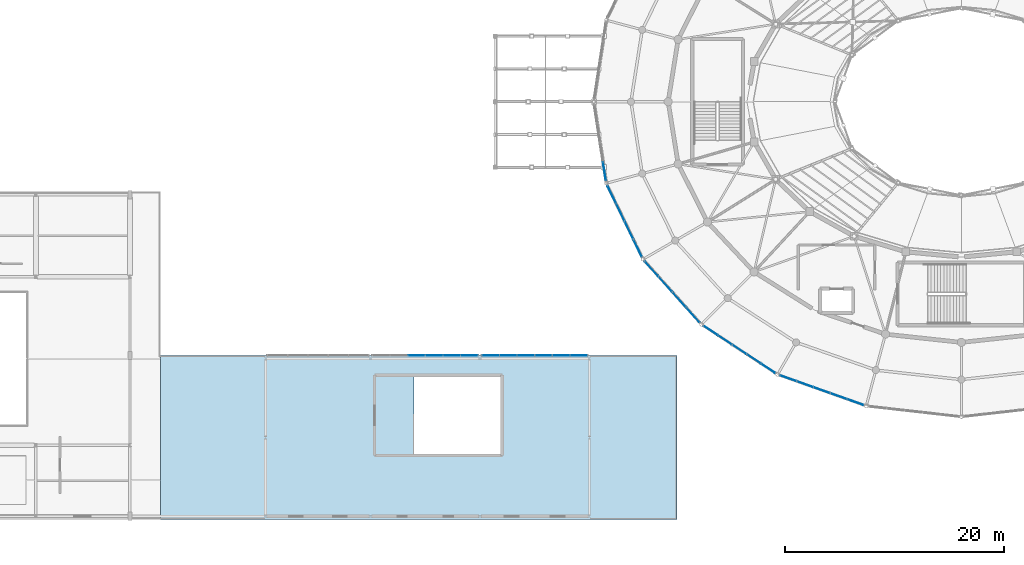
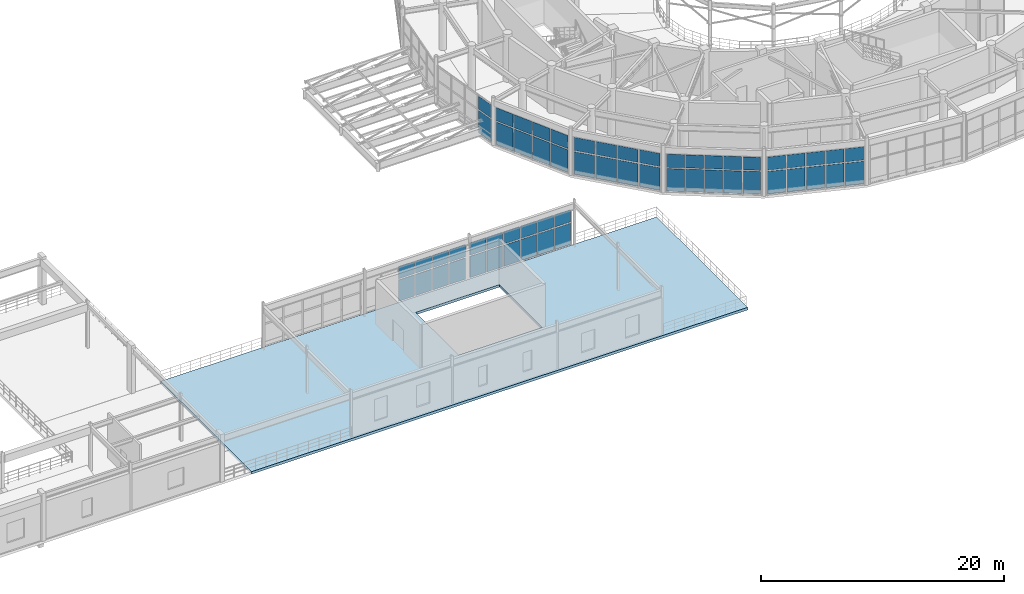
# One storey, part 82 of 144: 58 plates, 1 slab, 7 elements without a shape of their own.
"""IFC4 building model written with IfcOpenShell, lengths in metres."""

import ifcopenshell
import ifcopenshell.guid

model = None  # the IFC model being written
_history = None  # IfcOwnerHistory: only IFC2X3 demands one
_inside = {}  # id of a spatial element -> (the spatial element, [elements in it])
_under = {}  # id of a project, library or spatial element -> (it, [spatial elements below it])
_declared = {}  # id of a project -> (the project, [libraries it declares])
_typed = {}  # id of a type object -> (the type object, [elements of that type])
_made_of = {}  # id of a material, layer set ... -> (it, [elements and type objects made of it])


def new_model(schema):
    """Start an empty IFC model of exactly this schema.

    Asked for "IFC4X3", IfcOpenShell would pick the latest addendum, in which some entities
    have other attributes; the version numbers below select the first issue.
    IFC2X3 requires an IfcOwnerHistory on every rooted entity: one is made here for all.
    """
    global model, _history
    if schema == "IFC4X3":
        model = ifcopenshell.file(schema_version=(4, 3, 0, 0))
    else:
        model = ifcopenshell.file(schema=schema)
    _inside.clear()
    _under.clear()
    _declared.clear()
    _typed.clear()
    _made_of.clear()
    _history = None
    if model.schema == "IFC2X3":
        org = make("IfcOrganization", Name="unknown")
        user = make(
            "IfcPersonAndOrganization",
            ThePerson=make("IfcPerson", FamilyName="unknown"),
            TheOrganization=org,
        )
        app = make(
            "IfcApplication",
            ApplicationDeveloper=org,
            Version="unknown",
            ApplicationFullName="unknown",
            ApplicationIdentifier="unknown",
        )
        _history = make(
            "IfcOwnerHistory",
            OwningUser=user,
            OwningApplication=app,
            ChangeAction="ADDED",
            CreationDate=0,
        )
    return model


def make(cls, **values):
    """One entity of the class cls with the attributes given. An attribute that is None is left unset."""
    return model.create_entity(
        cls, **{name: value for name, value in values.items() if value is not None}
    )


def rooted(cls, **values):
    """An entity with a GlobalId (a new one), such as an element, a storey or a relation."""
    return make(cls, GlobalId=ifcopenshell.guid.new(), OwnerHistory=_history, **values)


def si_unit(unit_type, name, prefix=None):
    """IfcSIUnit, for example si_unit("LENGTHUNIT", "METRE", prefix="MILLI")."""
    return make("IfcSIUnit", UnitType=unit_type, Prefix=prefix, Name=name)


def assignment(units):
    """IfcUnitAssignment: the units of a project."""
    return None if units is None else make("IfcUnitAssignment", Units=units)


def point(xyz):
    """IfcCartesianPoint."""
    return None if xyz is None else make("IfcCartesianPoint", Coordinates=xyz)


def direction(xyz):
    """IfcDirection."""
    return None if xyz is None else make("IfcDirection", DirectionRatios=xyz)


def frame(location, z_axis=None, x_axis=None):
    """IfcAxis2Placement3D, a coordinate frame: its origin and axes. An axis left out is left unset."""
    return make(
        "IfcAxis2Placement3D",
        Location=point(location),
        Axis=direction(z_axis),
        RefDirection=direction(x_axis),
    )


def frame_2d(location, x_axis=None):
    """IfcAxis2Placement2D, a coordinate frame in the plane: its origin and x axis."""
    return make(
        "IfcAxis2Placement2D", Location=point(location), RefDirection=direction(x_axis)
    )


def origin():
    """The frame at (0, 0, 0) with its axes left unset."""
    return frame((0.0, 0.0, 0.0))


def origin_2d():
    """The frame at (0, 0) in the plane with its x axis left unset."""
    return frame_2d((0.0, 0.0))


def place(relative_to, where):
    """IfcLocalPlacement: puts the frame where relative to a parent placement (None: the world)."""
    return make(
        "IfcLocalPlacement", PlacementRelTo=relative_to, RelativePlacement=where
    )


def context(
    kind, dimensions, precision=None, world=None, true_north=None, identifier=None
):
    """IfcGeometricRepresentationContext, for example the 3D "Model" context."""
    return make(
        "IfcGeometricRepresentationContext",
        ContextIdentifier=identifier,
        ContextType=kind,
        CoordinateSpaceDimension=dimensions,
        Precision=precision,
        WorldCoordinateSystem=world,
        TrueNorth=true_north,
    )


def subcontext(parent, identifier, kind, view, scale=None):
    """IfcGeometricRepresentationSubContext, for example "Body" below "Model"."""
    return make(
        "IfcGeometricRepresentationSubContext",
        ContextIdentifier=identifier,
        ContextType=kind,
        ParentContext=parent,
        TargetScale=scale,
        TargetView=view,
    )


def project(units=None, contexts=None):
    """IfcProject with its units and contexts."""
    return rooted(
        "IfcProject",
        Name="project",
        RepresentationContexts=contexts,
        UnitsInContext=assignment(units),
    )


def spatial(cls, under=None, at=None, **own):
    """A site, building, storey or space (cls), placed at a placement, below another one or the project."""
    s = rooted(cls, ObjectPlacement=at, **own)
    if under is not None:
        _under.setdefault(under.id(), (under, []))[1].append(s)
    return s


def polyline(points):
    """IfcPolyline through the points."""
    return make("IfcPolyline", Points=[point(p) for p in points])


def profile(cls, at=None, kind="AREA", **sizes):
    """A parametric profile (cls). Its sizes go by their IFC names, for example OverallWidth=200.0."""
    return make(cls, ProfileType=kind, Position=at, **sizes)


def rectangle(**sizes):
    """IfcRectangleProfileDef."""
    return profile("IfcRectangleProfileDef", **sizes)


def outline(outer, holes=None, kind="AREA"):
    """IfcArbitraryClosedProfileDef: a profile drawn as a closed curve; with holes, ...WithVoids."""
    if holes is None:
        return make("IfcArbitraryClosedProfileDef", ProfileType=kind, OuterCurve=outer)
    return make(
        "IfcArbitraryProfileDefWithVoids",
        ProfileType=kind,
        OuterCurve=outer,
        InnerCurves=holes,
    )


def extrude(swept, where, along, depth):
    """IfcExtrudedAreaSolid: the profile swept, set in the frame where, extruded along a direction by depth."""
    return make(
        "IfcExtrudedAreaSolid",
        SweptArea=swept,
        Position=where,
        ExtrudedDirection=direction(along),
        Depth=depth,
    )


def shape(context_of_items, identifier, shape_type, items):
    """IfcShapeRepresentation: the items that make up one representation, for example the "Body"."""
    return make(
        "IfcShapeRepresentation",
        ContextOfItems=context_of_items,
        RepresentationIdentifier=identifier,
        RepresentationType=shape_type,
        Items=items,
    )


def material(Name=None, Category=None):
    """IfcMaterial."""
    return make("IfcMaterial", Name=Name, Category=Category)


def layer(
    of_material, thickness, ventilated=None, Name=None, Category=None, Priority=None
):
    """IfcMaterialLayer: one layer of a wall or slab, of a material (None: an air gap)."""
    return make(
        "IfcMaterialLayer",
        Material=of_material,
        LayerThickness=thickness,
        IsVentilated=ventilated,
        Name=Name,
        Category=Category,
        Priority=Priority,
    )


def layer_set(layers, Name=None):
    """IfcMaterialLayerSet."""
    return make("IfcMaterialLayerSet", MaterialLayers=layers, LayerSetName=Name)


def made_of(thing, what):
    """Note that an element or type object is made of a material, layer set ...; save() writes the relation."""
    if what is not None:
        _made_of.setdefault(what.id(), (what, []))[1].append(thing)
    return thing


def type_object(cls, material=None, **own):
    """A type object (cls), such as IfcWallType, which elements share."""
    return made_of(rooted(cls, **own), material)


def element(
    cls,
    number,
    at=None,
    inside=None,
    cuts=None,
    type_object=None,
    material=None,
    context=None,
    identifier="Body",
    shape_type=None,
    held_by="IfcProductDefinitionShape",
    body=None,
    shapes=None,
    **own,
):
    """One element of the class cls, such as IfcWall. Its Tag is "e" and its number.

    at: its placement. inside: the storey or other place that contains it. cuts: it is an
    opening in that element (IfcRelVoidsElement). A single representation is given by context,
    identifier, shape_type and body (its items); several are given by shapes. held_by: the class
    of the entity that holds the representations. save() writes the other relations.
    """
    e = rooted(cls, Tag="e%d" % number, ObjectPlacement=at, **own)
    if body is not None:
        shapes = [shape(context, identifier, shape_type, body)]
    if shapes is not None:
        e.Representation = make(held_by, Representations=shapes)
    if inside is not None:
        _inside.setdefault(inside.id(), (inside, []))[1].append(e)
    if cuts is not None:
        rooted(
            "IfcRelVoidsElement", RelatingBuildingElement=cuts, RelatedOpeningElement=e
        )
    if type_object is not None:
        _typed.setdefault(type_object.id(), (type_object, []))[1].append(e)
    return made_of(e, material)


def aggregate(whole, parts):
    """IfcRelAggregates: a whole, such as a stair, and the parts it consists of."""
    return rooted("IfcRelAggregates", RelatingObject=whole, RelatedObjects=parts)


def save(model, path):
    """Write the relations noted so far, then the file.

    IfcRelAggregates (storeys below a building ...), IfcRelContainedInSpatialStructure (elements
    in a storey), IfcRelDefinesByType, IfcRelAssociatesMaterial and IfcRelDeclares: one each for
    every whole, place, type object, material and project.
    """
    for whole, parts in _under.values():
        aggregate(whole, parts)
    for where, things in _inside.values():
        rooted(
            "IfcRelContainedInSpatialStructure",
            RelatedElements=things,
            RelatingStructure=where,
        )
    for kind, things in _typed.values():
        rooted("IfcRelDefinesByType", RelatedObjects=things, RelatingType=kind)
    for what, things in _made_of.values():
        rooted("IfcRelAssociatesMaterial", RelatedObjects=things, RelatingMaterial=what)
    for by, libraries in _declared.values():
        rooted("IfcRelDeclares", RelatingContext=by, RelatedDefinitions=libraries)
    model.write(path)


model = new_model("IFC4")

# Units and contexts
model_context = context("Model", 3, precision=1e-05, world=origin(), true_north=direction((0.0, 1.0)))
body_context = subcontext(model_context, "Body", "Model", "MODEL_VIEW")
ifc_project = project(units=[si_unit("LENGTHUNIT", "METRE"), si_unit("AREAUNIT", "SQUARE_METRE"), si_unit("VOLUMEUNIT", "CUBIC_METRE"), si_unit("PLANEANGLEUNIT", "RADIAN"), si_unit("MASSUNIT", "GRAM", prefix="KILO")], contexts=[model_context])

# Site, building, storey
site_placement = place(None, origin())
site = spatial("IfcSite", under=ifc_project, at=site_placement, CompositionType="ELEMENT")
building_placement = place(site_placement, origin())
building = spatial("IfcBuilding", under=site, at=building_placement, Name="Cinderbank Siding Concert Hall", CompositionType="ELEMENT")
storey_placement = place(building_placement, frame((0.0, 0.0, 5.39990234375)))
storey = spatial("IfcBuildingStorey", under=building, at=storey_placement, Name="L02", CompositionType="ELEMENT", Elevation=5.39990234375)

# Curtain wall, plates
ifc_material_1 = material(Name="Anodised aluminium alloy 6063-T6", Category="aluminium")
curtain_wall_type_1 = type_object("IfcCurtainWallType", Name="CW-04 Unitised Acoustic Curtain Wall 7000x4400", PredefinedType="NOTDEFINED", material=ifc_material_1)
curtain_wall_1_placement = place(storey_placement, origin())
curtain_wall_1 = element("IfcCurtainWall", 1, at=curtain_wall_1_placement, inside=storey, type_object=curtain_wall_type_1, Name="L02 Curtain Wall CW-04 #16", PredefinedType="NOTDEFINED")
ifc_material_2 = material(Name="Double-glazed laminated acoustic glass", Category="glass")
ifc_layer_1 = layer(ifc_material_2, 0.035888671875)
ifc_layer_set_1 = layer_set([ifc_layer_1], Name="Double-glazed laminated acoustic glass")
plate_type_1 = type_object("IfcPlateType", Name="CP-01 Glazed Curtain Panel 1800x2200", PredefinedType="CURTAIN_PANEL", material=ifc_layer_set_1)
plate_1_placement = place(storey_placement, frame((99.0888671875, 23.077880859375, 0.1201171875), z_axis=(0.0, 0.0, 1.0), x_axis=(0.835491932304, -0.549502712509, 0.0)))
plate_1 = element("IfcPlate", 2, at=plate_1_placement, type_object=plate_type_1, Name="CW-L02-016 Glazed Panel 0-0", PredefinedType="CURTAIN_PANEL", context=body_context, shape_type="SweptSolid", body=[
    extrude(rectangle(XDim=1.47509765625, YDim=0.035888671875, at=origin_2d()), origin(), (0.0, 0.0, 1.0), 2.26708984375),
])
plate_2_placement = place(storey_placement, frame((99.0888671875, 23.077880859375, 2.50732421875), z_axis=(0.0, 0.0, 1.0), x_axis=(0.835491932304, -0.549502712509, 0.0)))
plate_2 = element("IfcPlate", 3, at=plate_2_placement, type_object=plate_type_1, Name="CW-L02-016 Glazed Panel 0-1", PredefinedType="CURTAIN_PANEL", context=body_context, shape_type="SweptSolid", body=[
    extrude(rectangle(XDim=1.47509765625, YDim=0.035888671875, at=origin_2d()), origin(), (0.0, 0.0, 1.0), 1.31982421875),
])
plate_3_placement = place(storey_placement, frame((100.40478515625, 22.21240234375, 0.1201171875), z_axis=(0.0, 0.0, 1.0), x_axis=(0.835491932304, -0.549502712509, 0.0)))
plate_3 = element("IfcPlate", 4, at=plate_3_placement, type_object=plate_type_1, Name="CW-L02-016 Glazed Panel 1-0", PredefinedType="CURTAIN_PANEL", context=body_context, shape_type="SweptSolid", body=[
    extrude(rectangle(XDim=1.47509765625, YDim=0.035888671875, at=origin_2d()), origin(), (0.0, 0.0, 1.0), 2.26708984375),
])
plate_4_placement = place(storey_placement, frame((100.40478515625, 22.21240234375, 2.50732421875), z_axis=(0.0, 0.0, 1.0), x_axis=(0.835491932304, -0.549502712509, 0.0)))
plate_4 = element("IfcPlate", 5, at=plate_4_placement, type_object=plate_type_1, Name="CW-L02-016 Glazed Panel 1-1", PredefinedType="CURTAIN_PANEL", context=body_context, shape_type="SweptSolid", body=[
    extrude(rectangle(XDim=1.47509765625, YDim=0.035888671875, at=origin_2d()), origin(), (0.0, 0.0, 1.0), 1.31982421875),
])
plate_5_placement = place(storey_placement, frame((101.720703125, 21.346923828125, 0.1201171875), z_axis=(0.0, 0.0, 1.0), x_axis=(0.835491932304, -0.549502712509, 0.0)))
plate_5 = element("IfcPlate", 6, at=plate_5_placement, type_object=plate_type_1, Name="CW-L02-016 Glazed Panel 2-0", PredefinedType="CURTAIN_PANEL", context=body_context, shape_type="SweptSolid", body=[
    extrude(rectangle(XDim=1.47509765625, YDim=0.035888671875, at=origin_2d()), origin(), (0.0, 0.0, 1.0), 2.26708984375),
])
plate_6_placement = place(storey_placement, frame((101.720703125, 21.346923828125, 2.50732421875), z_axis=(0.0, 0.0, 1.0), x_axis=(0.835491932304, -0.549502712509, 0.0)))
plate_6 = element("IfcPlate", 7, at=plate_6_placement, type_object=plate_type_1, Name="CW-L02-016 Glazed Panel 2-1", PredefinedType="CURTAIN_PANEL", context=body_context, shape_type="SweptSolid", body=[
    extrude(rectangle(XDim=1.47509765625, YDim=0.035888671875, at=origin_2d()), origin(), (0.0, 0.0, 1.0), 1.31982421875),
])
plate_7_placement = place(storey_placement, frame((103.03662109375, 20.4814453125, 0.1201171875), z_axis=(0.0, 0.0, 1.0), x_axis=(0.835491932304, -0.549502712509, 0.0)))
plate_7 = element("IfcPlate", 8, at=plate_7_placement, type_object=plate_type_1, Name="CW-L02-016 Glazed Panel 3-0", PredefinedType="CURTAIN_PANEL", context=body_context, shape_type="SweptSolid", body=[
    extrude(rectangle(XDim=1.47509765625, YDim=0.035888671875, at=origin_2d()), origin(), (0.0, 0.0, 1.0), 2.26708984375),
])
plate_8_placement = place(storey_placement, frame((103.03662109375, 20.4814453125, 2.50732421875), z_axis=(0.0, 0.0, 1.0), x_axis=(0.835491932304, -0.549502712509, 0.0)))
plate_8 = element("IfcPlate", 9, at=plate_8_placement, type_object=plate_type_1, Name="CW-L02-016 Glazed Panel 3-1", PredefinedType="CURTAIN_PANEL", context=body_context, shape_type="SweptSolid", body=[
    extrude(rectangle(XDim=1.47509765625, YDim=0.035888671875, at=origin_2d()), origin(), (0.0, 0.0, 1.0), 1.31982421875),
])
plate_9_placement = place(storey_placement, frame((104.352294921875, 19.615966796875, 0.1201171875), z_axis=(0.0, 0.0, 1.0), x_axis=(0.835491932304, -0.549502712509, 0.0)))
plate_9 = element("IfcPlate", 10, at=plate_9_placement, type_object=plate_type_1, Name="CW-L02-016 Glazed Panel 4-0", PredefinedType="CURTAIN_PANEL", context=body_context, shape_type="SweptSolid", body=[
    extrude(rectangle(XDim=1.47509765625, YDim=0.035888671875, at=origin_2d()), origin(), (0.0, 0.0, 1.0), 2.26708984375),
])
plate_10_placement = place(storey_placement, frame((104.352294921875, 19.615966796875, 2.50732421875), z_axis=(0.0, 0.0, 1.0), x_axis=(0.835491932304, -0.549502712509, 0.0)))
plate_10 = element("IfcPlate", 11, at=plate_10_placement, type_object=plate_type_1, Name="CW-L02-016 Glazed Panel 4-1", PredefinedType="CURTAIN_PANEL", context=body_context, shape_type="SweptSolid", body=[
    extrude(rectangle(XDim=1.47509765625, YDim=0.035888671875, at=origin_2d()), origin(), (0.0, 0.0, 1.0), 1.31982421875),
])
aggregate(curtain_wall_1, [plate_1, plate_2, plate_3, plate_4, plate_5, plate_6, plate_7, plate_8, plate_9, plate_10])

curtain_wall_type_2 = type_object("IfcCurtainWallType", Name="CW-05 Unitised Acoustic Curtain Wall 8200x3800", PredefinedType="NOTDEFINED", material=ifc_material_1)
curtain_wall_2_placement = place(storey_placement, origin())
curtain_wall_2 = element("IfcCurtainWall", 12, at=curtain_wall_2_placement, inside=storey, type_object=curtain_wall_type_2, Name="L02 Curtain Wall CW-05 #17", PredefinedType="NOTDEFINED")
ifc_layer_2 = layer(ifc_material_2, 0.035888671875)
ifc_layer_set_2 = layer_set([ifc_layer_2], Name="Double-glazed laminated acoustic glass")
plate_type_2 = type_object("IfcPlateType", Name="CP-02 Glazed Curtain Panel 1800x1900", PredefinedType="CURTAIN_PANEL", material=ifc_layer_set_2)
plate_11_placement = place(storey_placement, frame((106.181396484375, 18.7099609375, 0.1201171875), z_axis=(0.0, 0.0, 1.0), x_axis=(0.942365662238, -0.334584755532, 0.0)))
plate_11 = element("IfcPlate", 13, at=plate_11_placement, type_object=plate_type_2, Name="CW-L02-017 Glazed Panel 0-0", PredefinedType="CURTAIN_PANEL", context=body_context, shape_type="SweptSolid", body=[
    extrude(rectangle(XDim=1.529052734375, YDim=0.035888671875, at=origin_2d()), origin(), (0.0, 0.0, 1.0), 2.26708984375),
])
plate_12_placement = place(storey_placement, frame((106.181396484375, 18.7099609375, 2.50732421875), z_axis=(0.0, 0.0, 1.0), x_axis=(0.942365662238, -0.334584755532, 0.0)))
plate_12 = element("IfcPlate", 14, at=plate_12_placement, type_object=plate_type_2, Name="CW-L02-017 Glazed Panel 0-1", PredefinedType="CURTAIN_PANEL", context=body_context, shape_type="SweptSolid", body=[
    extrude(rectangle(XDim=1.529052734375, YDim=0.035888671875, at=origin_2d()), origin(), (0.0, 0.0, 1.0), 1.31982421875),
])
plate_13_placement = place(storey_placement, frame((107.716796875, 18.1650390625, 0.1201171875), z_axis=(0.0, 0.0, 1.0), x_axis=(0.942365662238, -0.334584755532, 0.0)))
plate_13 = element("IfcPlate", 15, at=plate_13_placement, type_object=plate_type_2, Name="CW-L02-017 Glazed Panel 1-0", PredefinedType="CURTAIN_PANEL", context=body_context, shape_type="SweptSolid", body=[
    extrude(rectangle(XDim=1.529052734375, YDim=0.035888671875, at=origin_2d()), origin(), (0.0, 0.0, 1.0), 2.26708984375),
])
plate_14_placement = place(storey_placement, frame((107.716796875, 18.1650390625, 2.50732421875), z_axis=(0.0, 0.0, 1.0), x_axis=(0.942365662238, -0.334584755532, 0.0)))
plate_14 = element("IfcPlate", 16, at=plate_14_placement, type_object=plate_type_2, Name="CW-L02-017 Glazed Panel 1-1", PredefinedType="CURTAIN_PANEL", context=body_context, shape_type="SweptSolid", body=[
    extrude(rectangle(XDim=1.529052734375, YDim=0.035888671875, at=origin_2d()), origin(), (0.0, 0.0, 1.0), 1.31982421875),
])
plate_15_placement = place(storey_placement, frame((109.251953125, 17.619873046875, 0.1201171875), z_axis=(0.0, 0.0, 1.0), x_axis=(0.942365662238, -0.334584755532, 0.0)))
plate_15 = element("IfcPlate", 17, at=plate_15_placement, type_object=plate_type_2, Name="CW-L02-017 Glazed Panel 2-0", PredefinedType="CURTAIN_PANEL", context=body_context, shape_type="SweptSolid", body=[
    extrude(rectangle(XDim=1.529052734375, YDim=0.035888671875, at=origin_2d()), origin(), (0.0, 0.0, 1.0), 2.26708984375),
])
plate_16_placement = place(storey_placement, frame((109.251953125, 17.619873046875, 2.50732421875), z_axis=(0.0, 0.0, 1.0), x_axis=(0.942365662238, -0.334584755532, 0.0)))
plate_16 = element("IfcPlate", 18, at=plate_16_placement, type_object=plate_type_2, Name="CW-L02-017 Glazed Panel 2-1", PredefinedType="CURTAIN_PANEL", context=body_context, shape_type="SweptSolid", body=[
    extrude(rectangle(XDim=1.529052734375, YDim=0.035888671875, at=origin_2d()), origin(), (0.0, 0.0, 1.0), 1.31982421875),
])
plate_17_placement = place(storey_placement, frame((110.787109375, 17.07470703125, 0.1201171875), z_axis=(0.0, 0.0, 1.0), x_axis=(0.942365662238, -0.334584755532, 0.0)))
plate_17 = element("IfcPlate", 19, at=plate_17_placement, type_object=plate_type_2, Name="CW-L02-017 Glazed Panel 3-0", PredefinedType="CURTAIN_PANEL", context=body_context, shape_type="SweptSolid", body=[
    extrude(rectangle(XDim=1.529052734375, YDim=0.035888671875, at=origin_2d()), origin(), (0.0, 0.0, 1.0), 2.26708984375),
])
plate_18_placement = place(storey_placement, frame((110.787109375, 17.07470703125, 2.50732421875), z_axis=(0.0, 0.0, 1.0), x_axis=(0.942365662238, -0.334584755532, 0.0)))
plate_18 = element("IfcPlate", 20, at=plate_18_placement, type_object=plate_type_2, Name="CW-L02-017 Glazed Panel 3-1", PredefinedType="CURTAIN_PANEL", context=body_context, shape_type="SweptSolid", body=[
    extrude(rectangle(XDim=1.529052734375, YDim=0.035888671875, at=origin_2d()), origin(), (0.0, 0.0, 1.0), 1.31982421875),
])
plate_19_placement = place(storey_placement, frame((112.322265625, 16.52978515625, 0.1201171875), z_axis=(0.0, 0.0, 1.0), x_axis=(0.942365662238, -0.334584755532, 0.0)))
plate_19 = element("IfcPlate", 21, at=plate_19_placement, type_object=plate_type_2, Name="CW-L02-017 Glazed Panel 4-0", PredefinedType="CURTAIN_PANEL", context=body_context, shape_type="SweptSolid", body=[
    extrude(rectangle(XDim=1.529052734375, YDim=0.035888671875, at=origin_2d()), origin(), (0.0, 0.0, 1.0), 2.26708984375),
])
plate_20_placement = place(storey_placement, frame((112.322265625, 16.52978515625, 2.50732421875), z_axis=(0.0, 0.0, 1.0), x_axis=(0.942365662238, -0.334584755532, 0.0)))
plate_20 = element("IfcPlate", 22, at=plate_20_placement, type_object=plate_type_2, Name="CW-L02-017 Glazed Panel 4-1", PredefinedType="CURTAIN_PANEL", context=body_context, shape_type="SweptSolid", body=[
    extrude(rectangle(XDim=1.529052734375, YDim=0.035888671875, at=origin_2d()), origin(), (0.0, 0.0, 1.0), 1.31982421875),
])
aggregate(curtain_wall_2, [plate_11, plate_12, plate_13, plate_14, plate_15, plate_16, plate_17, plate_18, plate_19, plate_20])

curtain_wall_type_3 = type_object("IfcCurtainWallType", Name="CW-01 Unitised Acoustic Curtain Wall 8200x4400", PredefinedType="NOTDEFINED", material=ifc_material_1)
curtain_wall_3_placement = place(storey_placement, origin())
curtain_wall_3 = element("IfcCurtainWall", 23, at=curtain_wall_3_placement, inside=storey, type_object=curtain_wall_type_3, Name="L02 Curtain Wall CW-01 #13", PredefinedType="NOTDEFINED")
ifc_layer_3 = layer(ifc_material_2, 0.0380859375)
ifc_layer_set_3 = layer_set([ifc_layer_3], Name="Double-glazed laminated acoustic glass")
plate_type_3 = type_object("IfcPlateType", Name="CP-06 Glazed Curtain Panel 2100x1600", PredefinedType="CURTAIN_PANEL", material=ifc_layer_set_3)
plate_21_placement = place(storey_placement, frame((89.3759765625, 37.64599609375, 0.1201171875), z_axis=(0.0, 0.0, 1.0), x_axis=(0.151815048473, -0.988408918949, 0.0)))
plate_21 = element("IfcPlate", 24, at=plate_21_placement, type_object=plate_type_3, Name="CW-L02-013 Glazed Panel 3-0", PredefinedType="CURTAIN_PANEL", context=body_context, shape_type="SweptSolid", body=[
    extrude(rectangle(XDim=1.671875, YDim=0.035888671875, at=origin_2d()), origin(), (0.0, 0.0, 1.0), 2.26708984375),
])
plate_22_placement = place(storey_placement, frame((89.3759765625, 37.64599609375, 2.50732421875), z_axis=(0.0, 0.0, 1.0), x_axis=(0.151815048473, -0.988408918949, 0.0)))
plate_22 = element("IfcPlate", 25, at=plate_22_placement, type_object=plate_type_3, Name="CW-L02-013 Glazed Panel 3-1", PredefinedType="CURTAIN_PANEL", context=body_context, shape_type="SweptSolid", body=[
    extrude(rectangle(XDim=1.671875, YDim=0.035888671875, at=origin_2d()), origin(), (0.0, 0.0, 1.0), 1.31982421875),
])
aggregate(curtain_wall_3, [plate_21, plate_22])

curtain_wall_type_4 = type_object("IfcCurtainWallType", Name="CW-02 Unitised Acoustic Curtain Wall 7800x4400", PredefinedType="NOTDEFINED", material=ifc_material_1)
curtain_wall_4_placement = place(storey_placement, origin())
curtain_wall_4 = element("IfcCurtainWall", 26, at=curtain_wall_4_placement, inside=storey, type_object=curtain_wall_type_4, Name="L02 Curtain Wall CW-02 #14", PredefinedType="NOTDEFINED")
ifc_layer_4 = layer(ifc_material_2, 0.033935546875)
ifc_layer_set_4 = layer_set([ifc_layer_4], Name="Double-glazed laminated acoustic glass")
plate_type_4 = type_object("IfcPlateType", Name="CP-07 Glazed Curtain Panel 1500x1750", PredefinedType="CURTAIN_PANEL", material=ifc_layer_set_4)
plate_23_placement = place(storey_placement, frame((90.03857421875, 35.5244140625, 0.1201171875), z_axis=(0.0, 0.0, 1.0), x_axis=(0.435102109714, -0.900381116041, 0.0)))
plate_23 = element("IfcPlate", 27, at=plate_23_placement, type_object=plate_type_4, Name="CW-L02-014 Glazed Panel 0-0", PredefinedType="CURTAIN_PANEL", context=body_context, shape_type="SweptSolid", body=[
    extrude(rectangle(XDim=1.715087890625, YDim=0.035888671875, at=origin_2d()), origin(), (0.0, 0.0, 1.0), 2.26708984375),
])
plate_24_placement = place(storey_placement, frame((90.03857421875, 35.5244140625, 2.50732421875), z_axis=(0.0, 0.0, 1.0), x_axis=(0.435102109714, -0.900381116041, 0.0)))
plate_24 = element("IfcPlate", 28, at=plate_24_placement, type_object=plate_type_4, Name="CW-L02-014 Glazed Panel 0-1", PredefinedType="CURTAIN_PANEL", context=body_context, shape_type="SweptSolid", body=[
    extrude(rectangle(XDim=1.715087890625, YDim=0.035888671875, at=origin_2d()), origin(), (0.0, 0.0, 1.0), 1.31982421875),
])
plate_25_placement = place(storey_placement, frame((90.828369140625, 33.89013671875, 0.1201171875), z_axis=(0.0, 0.0, 1.0), x_axis=(0.435102109714, -0.900381116041, 0.0)))
plate_25 = element("IfcPlate", 29, at=plate_25_placement, type_object=plate_type_4, Name="CW-L02-014 Glazed Panel 1-0", PredefinedType="CURTAIN_PANEL", context=body_context, shape_type="SweptSolid", body=[
    extrude(rectangle(XDim=1.715087890625, YDim=0.035888671875, at=origin_2d()), origin(), (0.0, 0.0, 1.0), 2.26708984375),
])
plate_26_placement = place(storey_placement, frame((90.828369140625, 33.89013671875, 2.50732421875), z_axis=(0.0, 0.0, 1.0), x_axis=(0.435102109714, -0.900381116041, 0.0)))
plate_26 = element("IfcPlate", 30, at=plate_26_placement, type_object=plate_type_4, Name="CW-L02-014 Glazed Panel 1-1", PredefinedType="CURTAIN_PANEL", context=body_context, shape_type="SweptSolid", body=[
    extrude(rectangle(XDim=1.715087890625, YDim=0.035888671875, at=origin_2d()), origin(), (0.0, 0.0, 1.0), 1.31982421875),
])
plate_27_placement = place(storey_placement, frame((91.6181640625, 32.255859375, 0.1201171875), z_axis=(0.0, 0.0, 1.0), x_axis=(0.435102109714, -0.900381116041, 0.0)))
plate_27 = element("IfcPlate", 31, at=plate_27_placement, type_object=plate_type_4, Name="CW-L02-014 Glazed Panel 2-0", PredefinedType="CURTAIN_PANEL", context=body_context, shape_type="SweptSolid", body=[
    extrude(rectangle(XDim=1.715087890625, YDim=0.035888671875, at=origin_2d()), origin(), (0.0, 0.0, 1.0), 2.26708984375),
])
plate_28_placement = place(storey_placement, frame((91.6181640625, 32.255859375, 2.50732421875), z_axis=(0.0, 0.0, 1.0), x_axis=(0.435102109714, -0.900381116041, 0.0)))
plate_28 = element("IfcPlate", 32, at=plate_28_placement, type_object=plate_type_4, Name="CW-L02-014 Glazed Panel 2-1", PredefinedType="CURTAIN_PANEL", context=body_context, shape_type="SweptSolid", body=[
    extrude(rectangle(XDim=1.715087890625, YDim=0.035888671875, at=origin_2d()), origin(), (0.0, 0.0, 1.0), 1.31982421875),
])
plate_29_placement = place(storey_placement, frame((92.407958984375, 30.62158203125, 0.1201171875), z_axis=(0.0, 0.0, 1.0), x_axis=(0.435102109714, -0.900381116041, 0.0)))
plate_29 = element("IfcPlate", 33, at=plate_29_placement, type_object=plate_type_4, Name="CW-L02-014 Glazed Panel 3-0", PredefinedType="CURTAIN_PANEL", context=body_context, shape_type="SweptSolid", body=[
    extrude(rectangle(XDim=1.715087890625, YDim=0.035888671875, at=origin_2d()), origin(), (0.0, 0.0, 1.0), 2.26708984375),
])
plate_30_placement = place(storey_placement, frame((92.407958984375, 30.62158203125, 2.50732421875), z_axis=(0.0, 0.0, 1.0), x_axis=(0.435102109714, -0.900381116041, 0.0)))
plate_30 = element("IfcPlate", 34, at=plate_30_placement, type_object=plate_type_4, Name="CW-L02-014 Glazed Panel 3-1", PredefinedType="CURTAIN_PANEL", context=body_context, shape_type="SweptSolid", body=[
    extrude(rectangle(XDim=1.715087890625, YDim=0.035888671875, at=origin_2d()), origin(), (0.0, 0.0, 1.0), 1.31982421875),
])
aggregate(curtain_wall_4, [plate_23, plate_24, plate_25, plate_26, plate_27, plate_28, plate_29, plate_30])

curtain_wall_type_5 = type_object("IfcCurtainWallType", Name="CW-16 Unitised Acoustic Curtain Wall 9200x3800", PredefinedType="NOTDEFINED", material=ifc_material_1)
curtain_wall_5_placement = place(storey_placement, origin())
curtain_wall_5 = element("IfcCurtainWall", 35, at=curtain_wall_5_placement, inside=storey, type_object=curtain_wall_type_5, Name="L02 Curtain Wall CW-16 #142", PredefinedType="NOTDEFINED")
plate_31_placement = place(storey_placement, frame((72.194580078125, 20.800048828125, 0.1201171875), z_axis=(0.0, 0.0, 1.0), x_axis=(1.0, 0.0, 0.0)))
plate_31 = element("IfcPlate", 36, at=plate_31_placement, type_object=plate_type_4, Name="CW-L02-142 Glazed Panel 2-0", PredefinedType="CURTAIN_PANEL", context=body_context, shape_type="SweptSolid", body=[
    extrude(rectangle(XDim=1.5107421875, YDim=0.035888671875, at=origin_2d()), origin(), (0.0, 0.0, 1.0), 2.136962890625),
])
plate_32_placement = place(storey_placement, frame((72.194580078125, 20.800048828125, 2.376953125), z_axis=(0.0, 0.0, 1.0), x_axis=(1.0, 0.0, 0.0)))
plate_32 = element("IfcPlate", 37, at=plate_32_placement, type_object=plate_type_4, Name="CW-L02-142 Glazed Panel 2-1", PredefinedType="CURTAIN_PANEL", context=body_context, shape_type="SweptSolid", body=[
    extrude(rectangle(XDim=1.5107421875, YDim=0.035888671875, at=origin_2d()), origin(), (0.0, 0.0, 1.0), 1.239990234375),
])
plate_33_placement = place(storey_placement, frame((73.805419921875, 20.800048828125, 0.1201171875), z_axis=(0.0, 0.0, 1.0), x_axis=(1.0, 0.0, 0.0)))
plate_33 = element("IfcPlate", 38, at=plate_33_placement, type_object=plate_type_4, Name="CW-L02-142 Glazed Panel 3-0", PredefinedType="CURTAIN_PANEL", context=body_context, shape_type="SweptSolid", body=[
    extrude(rectangle(XDim=1.5107421875, YDim=0.035888671875, at=origin_2d()), origin(), (0.0, 0.0, 1.0), 2.136962890625),
])
plate_34_placement = place(storey_placement, frame((73.805419921875, 20.800048828125, 2.376953125), z_axis=(0.0, 0.0, 1.0), x_axis=(1.0, 0.0, 0.0)))
plate_34 = element("IfcPlate", 39, at=plate_34_placement, type_object=plate_type_4, Name="CW-L02-142 Glazed Panel 3-1", PredefinedType="CURTAIN_PANEL", context=body_context, shape_type="SweptSolid", body=[
    extrude(rectangle(XDim=1.5107421875, YDim=0.035888671875, at=origin_2d()), origin(), (0.0, 0.0, 1.0), 1.239990234375),
])
plate_35_placement = place(storey_placement, frame((75.416259765625, 20.800048828125, 0.1201171875), z_axis=(0.0, 0.0, 1.0), x_axis=(1.0, 0.0, 0.0)))
plate_35 = element("IfcPlate", 40, at=plate_35_placement, type_object=plate_type_4, Name="CW-L02-142 Glazed Panel 4-0", PredefinedType="CURTAIN_PANEL", context=body_context, shape_type="SweptSolid", body=[
    extrude(rectangle(XDim=1.5107421875, YDim=0.035888671875, at=origin_2d()), origin(), (0.0, 0.0, 1.0), 2.136962890625),
])
plate_36_placement = place(storey_placement, frame((75.416259765625, 20.800048828125, 2.376953125), z_axis=(0.0, 0.0, 1.0), x_axis=(1.0, 0.0, 0.0)))
plate_36 = element("IfcPlate", 41, at=plate_36_placement, type_object=plate_type_4, Name="CW-L02-142 Glazed Panel 4-1", PredefinedType="CURTAIN_PANEL", context=body_context, shape_type="SweptSolid", body=[
    extrude(rectangle(XDim=1.5107421875, YDim=0.035888671875, at=origin_2d()), origin(), (0.0, 0.0, 1.0), 1.239990234375),
])
plate_37_placement = place(storey_placement, frame((77.027099609375, 20.800048828125, 0.1201171875), z_axis=(0.0, 0.0, 1.0), x_axis=(1.0, 0.0, 0.0)))
plate_37 = element("IfcPlate", 42, at=plate_37_placement, type_object=plate_type_4, Name="CW-L02-142 Glazed Panel 5-0", PredefinedType="CURTAIN_PANEL", context=body_context, shape_type="SweptSolid", body=[
    extrude(rectangle(XDim=1.5107421875, YDim=0.035888671875, at=origin_2d()), origin(), (0.0, 0.0, 1.0), 2.136962890625),
])
plate_38_placement = place(storey_placement, frame((77.027099609375, 20.800048828125, 2.376953125), z_axis=(0.0, 0.0, 1.0), x_axis=(1.0, 0.0, 0.0)))
plate_38 = element("IfcPlate", 43, at=plate_38_placement, type_object=plate_type_4, Name="CW-L02-142 Glazed Panel 5-1", PredefinedType="CURTAIN_PANEL", context=body_context, shape_type="SweptSolid", body=[
    extrude(rectangle(XDim=1.5107421875, YDim=0.035888671875, at=origin_2d()), origin(), (0.0, 0.0, 1.0), 1.239990234375),
])
aggregate(curtain_wall_5, [plate_31, plate_32, plate_33, plate_34, plate_35, plate_36, plate_37, plate_38])

curtain_wall_type_6 = type_object("IfcCurtainWallType", Name="CW-03 Unitised Acoustic Curtain Wall 7400x4400", PredefinedType="NOTDEFINED", material=ifc_material_1)
curtain_wall_6_placement = place(storey_placement, origin())
curtain_wall_6 = element("IfcCurtainWall", 44, at=curtain_wall_6_placement, inside=storey, type_object=curtain_wall_type_6, Name="L02 Curtain Wall CW-03 #15", PredefinedType="NOTDEFINED")
ifc_layer_5 = layer(ifc_material_2, 0.033935546875)
ifc_layer_set_5 = layer_set([ifc_layer_5], Name="Double-glazed laminated acoustic glass")
plate_type_5 = type_object("IfcPlateType", Name="CP-08 Glazed Curtain Panel 1700x1550", PredefinedType="CURTAIN_PANEL", material=ifc_layer_set_5)
plate_39_placement = place(storey_placement, frame((93.6826171875, 28.7275390625, 0.1201171875), z_axis=(0.0, 0.0, 1.0), x_axis=(0.666993465338, -0.745063565877, 0.0)))
plate_39 = element("IfcPlate", 45, at=plate_39_placement, type_object=plate_type_5, Name="CW-L02-015 Glazed Panel 0-0", PredefinedType="CURTAIN_PANEL", context=body_context, shape_type="SweptSolid", body=[
    extrude(rectangle(XDim=1.787841796875, YDim=0.035888671875, at=origin_2d()), origin(), (0.0, 0.0, 1.0), 2.26708984375),
])
plate_40_placement = place(storey_placement, frame((93.6826171875, 28.7275390625, 2.50732421875), z_axis=(0.0, 0.0, 1.0), x_axis=(0.666993465338, -0.745063565877, 0.0)))
plate_40 = element("IfcPlate", 46, at=plate_40_placement, type_object=plate_type_5, Name="CW-L02-015 Glazed Panel 0-1", PredefinedType="CURTAIN_PANEL", context=body_context, shape_type="SweptSolid", body=[
    extrude(rectangle(XDim=1.787841796875, YDim=0.035888671875, at=origin_2d()), origin(), (0.0, 0.0, 1.0), 1.31982421875),
])
plate_41_placement = place(storey_placement, frame((94.941650390625, 27.321044921875, 0.1201171875), z_axis=(0.0, 0.0, 1.0), x_axis=(0.666993465338, -0.745063565877, 0.0)))
plate_41 = element("IfcPlate", 47, at=plate_41_placement, type_object=plate_type_5, Name="CW-L02-015 Glazed Panel 1-0", PredefinedType="CURTAIN_PANEL", context=body_context, shape_type="SweptSolid", body=[
    extrude(rectangle(XDim=1.787841796875, YDim=0.035888671875, at=origin_2d()), origin(), (0.0, 0.0, 1.0), 2.26708984375),
])
plate_42_placement = place(storey_placement, frame((94.941650390625, 27.321044921875, 2.50732421875), z_axis=(0.0, 0.0, 1.0), x_axis=(0.666993465338, -0.745063565877, 0.0)))
plate_42 = element("IfcPlate", 48, at=plate_42_placement, type_object=plate_type_5, Name="CW-L02-015 Glazed Panel 1-1", PredefinedType="CURTAIN_PANEL", context=body_context, shape_type="SweptSolid", body=[
    extrude(rectangle(XDim=1.787841796875, YDim=0.035888671875, at=origin_2d()), origin(), (0.0, 0.0, 1.0), 1.31982421875),
])
plate_43_placement = place(storey_placement, frame((96.200927734375, 25.914306640625, 0.1201171875), z_axis=(0.0, 0.0, 1.0), x_axis=(0.666993465338, -0.745063565877, 0.0)))
plate_43 = element("IfcPlate", 49, at=plate_43_placement, type_object=plate_type_5, Name="CW-L02-015 Glazed Panel 2-0", PredefinedType="CURTAIN_PANEL", context=body_context, shape_type="SweptSolid", body=[
    extrude(rectangle(XDim=1.787841796875, YDim=0.035888671875, at=origin_2d()), origin(), (0.0, 0.0, 1.0), 2.26708984375),
])
plate_44_placement = place(storey_placement, frame((96.200927734375, 25.914306640625, 2.50732421875), z_axis=(0.0, 0.0, 1.0), x_axis=(0.666993465338, -0.745063565877, 0.0)))
plate_44 = element("IfcPlate", 50, at=plate_44_placement, type_object=plate_type_5, Name="CW-L02-015 Glazed Panel 2-1", PredefinedType="CURTAIN_PANEL", context=body_context, shape_type="SweptSolid", body=[
    extrude(rectangle(XDim=1.787841796875, YDim=0.035888671875, at=origin_2d()), origin(), (0.0, 0.0, 1.0), 1.31982421875),
])
plate_45_placement = place(storey_placement, frame((97.460205078125, 24.5078125, 0.1201171875), z_axis=(0.0, 0.0, 1.0), x_axis=(0.666993465338, -0.745063565877, 0.0)))
plate_45 = element("IfcPlate", 51, at=plate_45_placement, type_object=plate_type_5, Name="CW-L02-015 Glazed Panel 3-0", PredefinedType="CURTAIN_PANEL", context=body_context, shape_type="SweptSolid", body=[
    extrude(rectangle(XDim=1.787841796875, YDim=0.035888671875, at=origin_2d()), origin(), (0.0, 0.0, 1.0), 2.26708984375),
])
plate_46_placement = place(storey_placement, frame((97.460205078125, 24.5078125, 2.50732421875), z_axis=(0.0, 0.0, 1.0), x_axis=(0.666993465338, -0.745063565877, 0.0)))
plate_46 = element("IfcPlate", 52, at=plate_46_placement, type_object=plate_type_5, Name="CW-L02-015 Glazed Panel 3-1", PredefinedType="CURTAIN_PANEL", context=body_context, shape_type="SweptSolid", body=[
    extrude(rectangle(XDim=1.787841796875, YDim=0.035888671875, at=origin_2d()), origin(), (0.0, 0.0, 1.0), 1.31982421875),
])
aggregate(curtain_wall_6, [plate_39, plate_40, plate_41, plate_42, plate_43, plate_44, plate_45, plate_46])

curtain_wall_7_placement = place(storey_placement, origin())
curtain_wall_7 = element("IfcCurtainWall", 53, at=curtain_wall_7_placement, inside=storey, type_object=curtain_wall_type_5, Name="L02 Curtain Wall CW-16 #143", PredefinedType="NOTDEFINED")
plate_47_placement = place(storey_placement, frame((78.972900390625, 20.800048828125, 0.1201171875), z_axis=(0.0, 0.0, 1.0), x_axis=(1.0, 0.0, 0.0)))
plate_47 = element("IfcPlate", 54, at=plate_47_placement, type_object=plate_type_5, Name="CW-L02-143 Glazed Panel 0-0", PredefinedType="CURTAIN_PANEL", context=body_context, shape_type="SweptSolid", body=[
    extrude(rectangle(XDim=1.5107421875, YDim=0.035888671875, at=origin_2d()), origin(), (0.0, 0.0, 1.0), 2.136962890625),
])
plate_48_placement = place(storey_placement, frame((78.972900390625, 20.800048828125, 2.376953125), z_axis=(0.0, 0.0, 1.0), x_axis=(1.0, 0.0, 0.0)))
plate_48 = element("IfcPlate", 55, at=plate_48_placement, type_object=plate_type_5, Name="CW-L02-143 Glazed Panel 0-1", PredefinedType="CURTAIN_PANEL", context=body_context, shape_type="SweptSolid", body=[
    extrude(rectangle(XDim=1.5107421875, YDim=0.035888671875, at=origin_2d()), origin(), (0.0, 0.0, 1.0), 1.239990234375),
])
plate_49_placement = place(storey_placement, frame((80.583740234375, 20.800048828125, 0.1201171875), z_axis=(0.0, 0.0, 1.0), x_axis=(1.0, 0.0, 0.0)))
plate_49 = element("IfcPlate", 56, at=plate_49_placement, type_object=plate_type_5, Name="CW-L02-143 Glazed Panel 1-0", PredefinedType="CURTAIN_PANEL", context=body_context, shape_type="SweptSolid", body=[
    extrude(rectangle(XDim=1.5107421875, YDim=0.035888671875, at=origin_2d()), origin(), (0.0, 0.0, 1.0), 2.136962890625),
])
plate_50_placement = place(storey_placement, frame((80.583740234375, 20.800048828125, 2.376953125), z_axis=(0.0, 0.0, 1.0), x_axis=(1.0, 0.0, 0.0)))
plate_50 = element("IfcPlate", 57, at=plate_50_placement, type_object=plate_type_5, Name="CW-L02-143 Glazed Panel 1-1", PredefinedType="CURTAIN_PANEL", context=body_context, shape_type="SweptSolid", body=[
    extrude(rectangle(XDim=1.5107421875, YDim=0.035888671875, at=origin_2d()), origin(), (0.0, 0.0, 1.0), 1.239990234375),
])
plate_51_placement = place(storey_placement, frame((82.194580078125, 20.800048828125, 0.1201171875), z_axis=(0.0, 0.0, 1.0), x_axis=(1.0, 0.0, 0.0)))
plate_51 = element("IfcPlate", 58, at=plate_51_placement, type_object=plate_type_5, Name="CW-L02-143 Glazed Panel 2-0", PredefinedType="CURTAIN_PANEL", context=body_context, shape_type="SweptSolid", body=[
    extrude(rectangle(XDim=1.5107421875, YDim=0.035888671875, at=origin_2d()), origin(), (0.0, 0.0, 1.0), 2.136962890625),
])
plate_52_placement = place(storey_placement, frame((82.194580078125, 20.800048828125, 2.376953125), z_axis=(0.0, 0.0, 1.0), x_axis=(1.0, 0.0, 0.0)))
plate_52 = element("IfcPlate", 59, at=plate_52_placement, type_object=plate_type_5, Name="CW-L02-143 Glazed Panel 2-1", PredefinedType="CURTAIN_PANEL", context=body_context, shape_type="SweptSolid", body=[
    extrude(rectangle(XDim=1.5107421875, YDim=0.035888671875, at=origin_2d()), origin(), (0.0, 0.0, 1.0), 1.239990234375),
])
plate_53_placement = place(storey_placement, frame((83.805419921875, 20.800048828125, 0.1201171875), z_axis=(0.0, 0.0, 1.0), x_axis=(1.0, 0.0, 0.0)))
plate_53 = element("IfcPlate", 60, at=plate_53_placement, type_object=plate_type_5, Name="CW-L02-143 Glazed Panel 3-0", PredefinedType="CURTAIN_PANEL", context=body_context, shape_type="SweptSolid", body=[
    extrude(rectangle(XDim=1.5107421875, YDim=0.035888671875, at=origin_2d()), origin(), (0.0, 0.0, 1.0), 2.136962890625),
])
plate_54_placement = place(storey_placement, frame((83.805419921875, 20.800048828125, 2.376953125), z_axis=(0.0, 0.0, 1.0), x_axis=(1.0, 0.0, 0.0)))
plate_54 = element("IfcPlate", 61, at=plate_54_placement, type_object=plate_type_5, Name="CW-L02-143 Glazed Panel 3-1", PredefinedType="CURTAIN_PANEL", context=body_context, shape_type="SweptSolid", body=[
    extrude(rectangle(XDim=1.5107421875, YDim=0.035888671875, at=origin_2d()), origin(), (0.0, 0.0, 1.0), 1.239990234375),
])
plate_55_placement = place(storey_placement, frame((85.416259765625, 20.800048828125, 0.1201171875), z_axis=(0.0, 0.0, 1.0), x_axis=(1.0, 0.0, 0.0)))
plate_55 = element("IfcPlate", 62, at=plate_55_placement, type_object=plate_type_5, Name="CW-L02-143 Glazed Panel 4-0", PredefinedType="CURTAIN_PANEL", context=body_context, shape_type="SweptSolid", body=[
    extrude(rectangle(XDim=1.5107421875, YDim=0.035888671875, at=origin_2d()), origin(), (0.0, 0.0, 1.0), 2.136962890625),
])
plate_56_placement = place(storey_placement, frame((85.416259765625, 20.800048828125, 2.376953125), z_axis=(0.0, 0.0, 1.0), x_axis=(1.0, 0.0, 0.0)))
plate_56 = element("IfcPlate", 63, at=plate_56_placement, type_object=plate_type_5, Name="CW-L02-143 Glazed Panel 4-1", PredefinedType="CURTAIN_PANEL", context=body_context, shape_type="SweptSolid", body=[
    extrude(rectangle(XDim=1.5107421875, YDim=0.035888671875, at=origin_2d()), origin(), (0.0, 0.0, 1.0), 1.239990234375),
])
plate_57_placement = place(storey_placement, frame((87.027099609375, 20.800048828125, 0.1201171875), z_axis=(0.0, 0.0, 1.0), x_axis=(1.0, 0.0, 0.0)))
plate_57 = element("IfcPlate", 64, at=plate_57_placement, type_object=plate_type_5, Name="CW-L02-143 Glazed Panel 5-0", PredefinedType="CURTAIN_PANEL", context=body_context, shape_type="SweptSolid", body=[
    extrude(rectangle(XDim=1.5107421875, YDim=0.035888671875, at=origin_2d()), origin(), (0.0, 0.0, 1.0), 2.136962890625),
])
plate_58_placement = place(storey_placement, frame((87.027099609375, 20.800048828125, 2.376953125), z_axis=(0.0, 0.0, 1.0), x_axis=(1.0, 0.0, 0.0)))
plate_58 = element("IfcPlate", 65, at=plate_58_placement, type_object=plate_type_5, Name="CW-L02-143 Glazed Panel 5-1", PredefinedType="CURTAIN_PANEL", context=body_context, shape_type="SweptSolid", body=[
    extrude(rectangle(XDim=1.5107421875, YDim=0.035888671875, at=origin_2d()), origin(), (0.0, 0.0, 1.0), 1.239990234375),
])
aggregate(curtain_wall_7, [plate_47, plate_48, plate_49, plate_50, plate_51, plate_52, plate_53, plate_54, plate_55, plate_56, plate_57, plate_58])

# Slab
ifc_material_3 = material(Name="Reinforced concrete AS 3600 N50 (50 MPa)", Category="concrete")
ifc_layer_6 = layer(ifc_material_3, 0.260009765625)
ifc_layer_set_6 = layer_set([ifc_layer_6], Name="Reinforced concrete AS 3600 N50 (50 MPa)")
slab_type = type_object("IfcSlabType", Name="SL-03 Slab 260mm", PredefinedType="FLOOR", material=ifc_layer_set_6)
slab_placement = place(storey_placement, frame((0.0, 0.0, -0.260009765625)))
element("IfcSlab", 66, at=slab_placement, inside=storey, type_object=slab_type, Name="L02 SL Slab", PredefinedType="FLOOR", context=body_context, shape_type="SweptSolid", body=[
    extrude(outline(polyline([(96.0, 20.800048828125), (96.0, 5.800048828125), (48.800048828125, 5.800048828125), (48.800048828125, 20.800048828125), (96.0, 20.800048828125)]), holes=[polyline([(71.949951171875, 11.800048828125), (79.89990234375, 11.800048828125), (79.89990234375, 18.860107421875), (71.949951171875, 18.860107421875), (71.949951171875, 11.800048828125)])]), origin(), (0.0, 0.0, 1.0), 0.260009765625),
])

save(model, "model.ifc")
